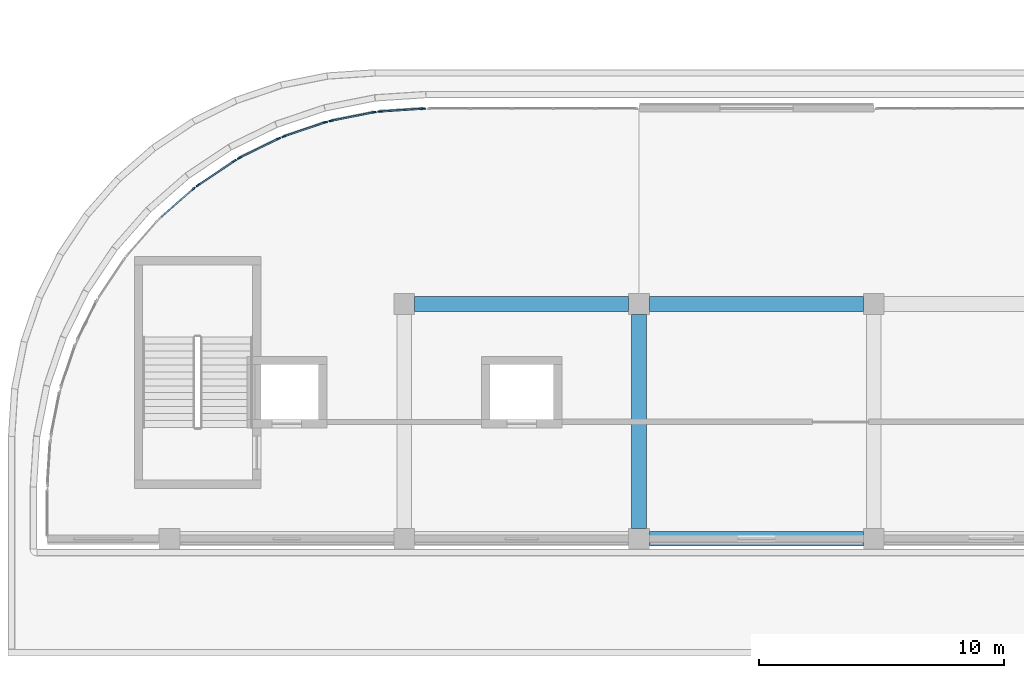
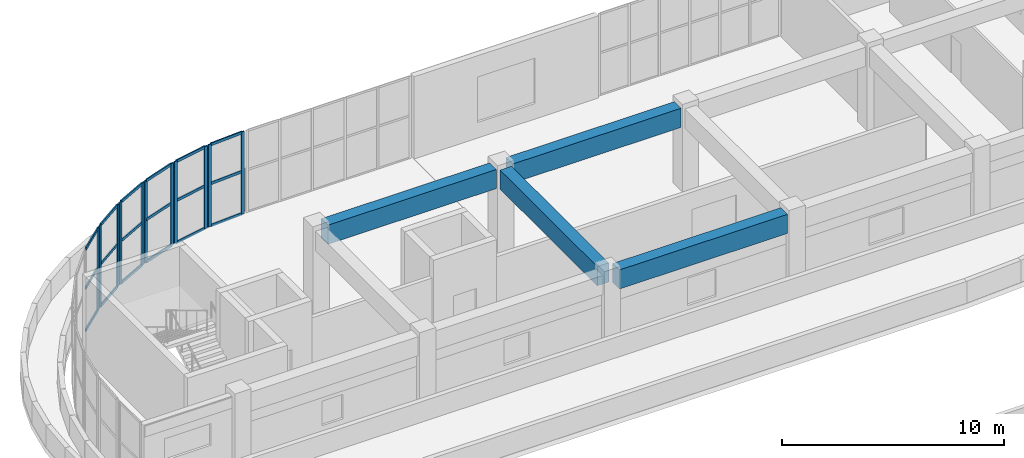
# One storey, part 14 of 67: 29 members, 4 beams, 6 elements without a shape of their own.
"""IFC4 building model written with IfcOpenShell, lengths in metres."""

from ifc_helpers import new_model, si_unit, direction, frame, origin, origin_2d, place, context, subcontext, project, spatial, rectangle, extrude, material, layer, layer_set, material_profile, profile_set, type_object, element, aggregate, save


model = new_model("IFC4")

# Units and contexts
model_context = context("Model", 3, precision=1e-05, world=origin(), true_north=direction((0.0, 1.0)))
body_context = subcontext(model_context, "Body", "Model", "MODEL_VIEW")
ifc_project = project(units=[si_unit("LENGTHUNIT", "METRE"), si_unit("AREAUNIT", "SQUARE_METRE"), si_unit("VOLUMEUNIT", "CUBIC_METRE"), si_unit("PLANEANGLEUNIT", "RADIAN"), si_unit("MASSUNIT", "GRAM", prefix="KILO")], contexts=[model_context])

# Site, building, storey
site_placement = place(None, origin())
site = spatial("IfcSite", under=ifc_project, at=site_placement, CompositionType="ELEMENT")
building_placement = place(site_placement, origin())
building = spatial("IfcBuilding", under=site, at=building_placement, Name="Cendralis Terraced Arcade", CompositionType="ELEMENT")
storey_placement = place(building_placement, frame((0.0, 0.0, 15.0)))
storey = spatial("IfcBuildingStorey", under=building, at=storey_placement, Name="L03", CompositionType="ELEMENT", Elevation=15.0)

# Beams
ifc_material_1 = material(Name="Concrete f'c 35 MPa", Category="concrete")
ifc_material_profile_1 = material_profile(ifc_material_1, rectangle(XDim=0.60009765625, YDim=1.050048828125, at=origin_2d()), Name="RC-BM-600x1050", Category="LoadBearing")
ifc_profile_set_1 = profile_set([ifc_material_profile_1], Name="Concrete f'c 35 MPa")
beam_type = type_object("IfcBeamType", Name="BM-600x1050", PredefinedType="JOIST", material=ifc_profile_set_1)
for number, where, z_axis, x_axis, name in (
    (1, (29.22509765625, 69.60009765625, 3.9951171875), (1.0, 0.0, 0.0), (0.0, 1.0, 0.0), "Reinforced Concrete Frame Beam BM-X-L04-H-4_5"),
    (2, (19.625, 79.199951171875, 3.9951171875), (1.0, 0.0, 0.0), (0.0, 1.0, 0.0), "Reinforced Concrete Frame Beam BM-X-L04-J-3_4"),
    (3, (29.22509765625, 79.199951171875, 3.9951171875), (1.0, 0.0, 0.0), (0.0, 1.0, 0.0), "Reinforced Concrete Frame Beam BM-X-L04-J-4_5"),
    (4, (28.800048828125, 70.02490234375, 3.9951171875), (0.0, 1.0, 0.0), (-1.0, 0.0, 0.0), "Reinforced Concrete Frame Beam BM-Y-L04-4-H_J"),
):
    element("IfcBeam", number, at=place(storey_placement, frame(where, z_axis=z_axis, x_axis=x_axis)), inside=storey, type_object=beam_type, Name=name, PredefinedType="JOIST", context=body_context, shape_type="SweptSolid", body=[
        extrude(rectangle(XDim=0.60009765625, YDim=1.050048828125, at=origin_2d()), origin(), (0.0, 0.0, 1.0), 8.75),
    ])

# Curtain wall, member
ifc_material_2 = material(Name="Anodised aluminium EN AW-6063 T6", Category="aluminium")
ifc_layer = layer(ifc_material_2, 0.179931640625, Name="CW-UNIT-A")
ifc_layer_set = layer_set([ifc_layer], Name="Anodised aluminium EN AW-6063 T6")
curtain_wall_type = type_object("IfcCurtainWallType", Name="CW-UNIT-A", PredefinedType="USERDEFINED", material=ifc_layer_set)
curtain_wall_1_placement = place(storey_placement, origin())
curtain_wall_1 = element("IfcCurtainWall", 5, at=curtain_wall_1_placement, inside=storey, type_object=curtain_wall_type, Name="Exterior Unitised Facade CW-L03-0304", ObjectType="UNITISED FACADE", PredefinedType="USERDEFINED")
ifc_material_profile_2 = material_profile(ifc_material_2, rectangle(XDim=0.06494140625, YDim=0.179931640625, at=origin_2d()), Name="ALU-MUL-65x180")
ifc_profile_set_2 = profile_set([ifc_material_profile_2], Name="Anodised aluminium EN AW-6063 T6")
member_type_1 = type_object("IfcMemberType", Name="CW-UNIT-A-MUL", PredefinedType="MULLION", material=ifc_profile_set_2)
member_1_placement = place(storey_placement, frame((10.572021484375, 83.916259765625, 0.0), z_axis=(0.0, 0.0, 1.0), x_axis=(-0.659370197402, 0.751818424075, 0.0)))
member_1 = element("IfcMember", 6, at=member_1_placement, type_object=member_type_1, Name="CW-U1 mullion 2", PredefinedType="MULLION", context=body_context, shape_type="SweptSolid", body=[
    extrude(rectangle(XDim=0.06494140625, YDim=0.179931640625, at=origin_2d()), origin(), (0.0, 0.0, 1.0), 4.52001953125),
])

# Curtain wall, members
curtain_wall_2_placement = place(storey_placement, origin())
curtain_wall_2 = element("IfcCurtainWall", 7, at=curtain_wall_2_placement, inside=storey, type_object=curtain_wall_type, Name="Exterior Unitised Facade CW-L03-0305", ObjectType="UNITISED FACADE", PredefinedType="USERDEFINED")
member_2_placement = place(storey_placement, frame((10.76611328125, 84.06494140625, 0.0), z_axis=(0.0, 0.0, 1.0), x_axis=(-0.555549269065, 0.831483619587, 0.0)))
member_2 = element("IfcMember", 8, at=member_2_placement, type_object=member_type_1, Name="CW-U1 mullion 1", PredefinedType="MULLION", context=body_context, shape_type="SweptSolid", body=[
    extrude(rectangle(XDim=0.06494140625, YDim=0.179931640625, at=origin_2d()), origin(), (0.0, 0.0, 1.0), 4.52001953125),
])
member_3_placement = place(storey_placement, frame((12.248291015625, 85.055419921875, 0.0), z_axis=(0.0, 0.0, 1.0), x_axis=(-0.555549269065, 0.831483619587, 0.0)))
member_3 = element("IfcMember", 9, at=member_3_placement, type_object=member_type_1, Name="CW-U1 mullion 2", PredefinedType="MULLION", context=body_context, shape_type="SweptSolid", body=[
    extrude(rectangle(XDim=0.06494140625, YDim=0.179931640625, at=origin_2d()), origin(), (0.0, 0.0, 1.0), 4.52001953125),
])

curtain_wall_3_placement = place(storey_placement, origin())
curtain_wall_3 = element("IfcCurtainWall", 10, at=curtain_wall_3_placement, inside=storey, type_object=curtain_wall_type, Name="Exterior Unitised Facade CW-L03-0306", ObjectType="UNITISED FACADE", PredefinedType="USERDEFINED")
member_4_placement = place(storey_placement, frame((12.4599609375, 85.177490234375, 0.0), z_axis=(0.0, 0.0, 1.0), x_axis=(-0.442270416572, 0.896881752867, 0.0)))
member_4 = element("IfcMember", 11, at=member_4_placement, type_object=member_type_1, Name="CW-U1 mullion 1", PredefinedType="MULLION", context=body_context, shape_type="SweptSolid", body=[
    extrude(rectangle(XDim=0.06494140625, YDim=0.179931640625, at=origin_2d()), origin(), (0.0, 0.0, 1.0), 4.52001953125),
])
member_5_placement = place(storey_placement, frame((14.05859375, 85.9658203125, 0.0), z_axis=(0.0, 0.0, 1.0), x_axis=(-0.442270416572, 0.896881752867, 0.0)))
member_5 = element("IfcMember", 12, at=member_5_placement, type_object=member_type_1, Name="CW-U1 mullion 2", PredefinedType="MULLION", context=body_context, shape_type="SweptSolid", body=[
    extrude(rectangle(XDim=0.06494140625, YDim=0.179931640625, at=origin_2d()), origin(), (0.0, 0.0, 1.0), 4.52001953125),
])

curtain_wall_4_placement = place(storey_placement, origin())
curtain_wall_4 = element("IfcCurtainWall", 13, at=curtain_wall_4_placement, inside=storey, type_object=curtain_wall_type, Name="Exterior Unitised Facade CW-L03-0307", ObjectType="UNITISED FACADE", PredefinedType="USERDEFINED")
member_6_placement = place(storey_placement, frame((14.284423828125, 86.0595703125, 0.0), z_axis=(0.0, 0.0, 1.0), x_axis=(-0.32150002033, 0.946909571674, 0.0)))
member_6 = element("IfcMember", 14, at=member_6_placement, type_object=member_type_1, Name="CW-U1 mullion 1", PredefinedType="MULLION", context=body_context, shape_type="SweptSolid", body=[
    extrude(rectangle(XDim=0.06494140625, YDim=0.179931640625, at=origin_2d()), origin(), (0.0, 0.0, 1.0), 4.52001953125),
])
member_7_placement = place(storey_placement, frame((15.972412109375, 86.632568359375, 0.0), z_axis=(0.0, 0.0, 1.0), x_axis=(-0.32150002033, 0.946909571674, 0.0)))
member_7 = element("IfcMember", 15, at=member_7_placement, type_object=member_type_1, Name="CW-U1 mullion 2", PredefinedType="MULLION", context=body_context, shape_type="SweptSolid", body=[
    extrude(rectangle(XDim=0.06494140625, YDim=0.179931640625, at=origin_2d()), origin(), (0.0, 0.0, 1.0), 4.52001953125),
])

curtain_wall_5_placement = place(storey_placement, origin())
curtain_wall_5 = element("IfcCurtainWall", 16, at=curtain_wall_5_placement, inside=storey, type_object=curtain_wall_type, Name="Exterior Unitised Facade CW-L03-0308", ObjectType="UNITISED FACADE", PredefinedType="USERDEFINED")
member_8_placement = place(storey_placement, frame((16.20849609375, 86.69580078125, 0.0), z_axis=(0.0, 0.0, 1.0), x_axis=(-0.195033398913, 0.980796601395, 0.0)))
member_8 = element("IfcMember", 17, at=member_8_placement, type_object=member_type_1, Name="CW-U1 mullion 1", PredefinedType="MULLION", context=body_context, shape_type="SweptSolid", body=[
    extrude(rectangle(XDim=0.06494140625, YDim=0.179931640625, at=origin_2d()), origin(), (0.0, 0.0, 1.0), 4.52001953125),
])
member_9_placement = place(storey_placement, frame((17.95654296875, 87.04345703125, 0.0), z_axis=(0.0, 0.0, 1.0), x_axis=(-0.195033398913, 0.980796601395, 0.0)))
member_9 = element("IfcMember", 18, at=member_9_placement, type_object=member_type_1, Name="CW-U1 mullion 2", PredefinedType="MULLION", context=body_context, shape_type="SweptSolid", body=[
    extrude(rectangle(XDim=0.06494140625, YDim=0.179931640625, at=origin_2d()), origin(), (0.0, 0.0, 1.0), 4.52001953125),
])

curtain_wall_6_placement = place(storey_placement, origin())
curtain_wall_6 = element("IfcCurtainWall", 19, at=curtain_wall_6_placement, inside=storey, type_object=curtain_wall_type, Name="Exterior Unitised Facade CW-L03-0309", ObjectType="UNITISED FACADE", PredefinedType="USERDEFINED")
member_10_placement = place(storey_placement, frame((18.198974609375, 87.075439453125, 0.0), z_axis=(0.0, 0.0, 1.0), x_axis=(-0.065383766124, 0.997860192175, 0.0)))
member_10 = element("IfcMember", 20, at=member_10_placement, type_object=member_type_1, Name="CW-U1 mullion 1", PredefinedType="MULLION", context=body_context, shape_type="SweptSolid", body=[
    extrude(rectangle(XDim=0.06494140625, YDim=0.179931640625, at=origin_2d()), origin(), (0.0, 0.0, 1.0), 4.52001953125),
])
member_11_placement = place(storey_placement, frame((19.977783203125, 87.19189453125, 0.0), z_axis=(0.0, 0.0, 1.0), x_axis=(-0.065383766124, 0.997860192175, 0.0)))
member_11 = element("IfcMember", 21, at=member_11_placement, type_object=member_type_1, Name="CW-U1 mullion 2", PredefinedType="MULLION", context=body_context, shape_type="SweptSolid", body=[
    extrude(rectangle(XDim=0.06494140625, YDim=0.179931640625, at=origin_2d()), origin(), (0.0, 0.0, 1.0), 4.52001953125),
])

# Member
ifc_material_profile_3 = material_profile(ifc_material_2, rectangle(XDim=0.06494140625, YDim=0.14990234375, at=origin_2d()), Name="ALU-TRN-65x150")
ifc_profile_set_3 = profile_set([ifc_material_profile_3], Name="Anodised aluminium EN AW-6063 T6")
member_type_2 = type_object("IfcMemberType", Name="CW-UNIT-A-TRN", PredefinedType="USERDEFINED", material=ifc_profile_set_3)
member_12_placement = place(storey_placement, frame((9.25634765625, 82.762451171875, 0.032470703125), z_axis=(0.751862957279, 0.659319416877, 0.0), x_axis=(-0.659319416877, 0.751862957279, 0.0)))
member_12 = element("IfcMember", 22, at=member_12_placement, type_object=member_type_2, Name="CW-U1 transom 1.1", ObjectType="TRANSOM", PredefinedType="USERDEFINED", context=body_context, shape_type="SweptSolid", body=[
    extrude(rectangle(XDim=0.06494140625, YDim=0.14990234375, at=origin_2d()), origin(), (0.0, 0.0, 1.0), 1.717529296875),
])

member_13_placement = place(storey_placement, frame((9.25634765625, 82.762451171875, 2.350341796875), z_axis=(0.751862957279, 0.659319416877, 0.0), x_axis=(-0.659319416877, 0.751862957279, 0.0)))
member_13 = element("IfcMember", 23, at=member_13_placement, type_object=member_type_2, Name="CW-U1 transom 1.2", ObjectType="TRANSOM", PredefinedType="USERDEFINED", context=body_context, shape_type="SweptSolid", body=[
    extrude(rectangle(XDim=0.06494140625, YDim=0.14990234375, at=origin_2d()), origin(), (0.0, 0.0, 1.0), 1.717529296875),
])

member_14_placement = place(storey_placement, frame((9.25634765625, 82.762451171875, 4.487548828125), z_axis=(0.751862957279, 0.659319416877, 0.0), x_axis=(-0.659319416877, 0.751862957279, 0.0)))
member_14 = element("IfcMember", 24, at=member_14_placement, type_object=member_type_2, Name="CW-U1 transom 1.3", ObjectType="TRANSOM", PredefinedType="USERDEFINED", context=body_context, shape_type="SweptSolid", body=[
    extrude(rectangle(XDim=0.06494140625, YDim=0.14990234375, at=origin_2d()), origin(), (0.0, 0.0, 1.0), 1.717529296875),
])

aggregate(curtain_wall_1, [member_1, member_12, member_13, member_14])

member_15_placement = place(storey_placement, frame((10.79296875, 84.0830078125, 0.032470703125), z_axis=(0.831459437663, 0.555585460141, 0.0), x_axis=(-0.555585460141, 0.831459437663, 0.0)))
member_15 = element("IfcMember", 25, at=member_15_placement, type_object=member_type_2, Name="CW-U1 transom 1.1", ObjectType="TRANSOM", PredefinedType="USERDEFINED", context=body_context, shape_type="SweptSolid", body=[
    extrude(rectangle(XDim=0.06494140625, YDim=0.14990234375, at=origin_2d()), origin(), (0.0, 0.0, 1.0), 1.7177734375),
])

member_16_placement = place(storey_placement, frame((10.79296875, 84.0830078125, 2.350341796875), z_axis=(0.831459437663, 0.555585460141, 0.0), x_axis=(-0.555585460141, 0.831459437663, 0.0)))
member_16 = element("IfcMember", 26, at=member_16_placement, type_object=member_type_2, Name="CW-U1 transom 1.2", ObjectType="TRANSOM", PredefinedType="USERDEFINED", context=body_context, shape_type="SweptSolid", body=[
    extrude(rectangle(XDim=0.06494140625, YDim=0.14990234375, at=origin_2d()), origin(), (0.0, 0.0, 1.0), 1.7177734375),
])

member_17_placement = place(storey_placement, frame((10.79296875, 84.0830078125, 4.487548828125), z_axis=(0.831459437663, 0.555585460141, 0.0), x_axis=(-0.555585460141, 0.831459437663, 0.0)))
member_17 = element("IfcMember", 27, at=member_17_placement, type_object=member_type_2, Name="CW-U1 transom 1.3", ObjectType="TRANSOM", PredefinedType="USERDEFINED", context=body_context, shape_type="SweptSolid", body=[
    extrude(rectangle(XDim=0.06494140625, YDim=0.14990234375, at=origin_2d()), origin(), (0.0, 0.0, 1.0), 1.7177734375),
])

aggregate(curtain_wall_2, [member_2, member_3, member_15, member_16, member_17])

member_18_placement = place(storey_placement, frame((12.489013671875, 85.19189453125, 0.032470703125), z_axis=(0.896830699832, 0.442373932141, 0.0), x_axis=(-0.442373932141, 0.896830699832, 0.0)))
member_18 = element("IfcMember", 28, at=member_18_placement, type_object=member_type_2, Name="CW-U1 transom 1.1", ObjectType="TRANSOM", PredefinedType="USERDEFINED", context=body_context, shape_type="SweptSolid", body=[
    extrude(rectangle(XDim=0.06494140625, YDim=0.14990234375, at=origin_2d()), origin(), (0.0, 0.0, 1.0), 1.717529296875),
])

member_19_placement = place(storey_placement, frame((12.489013671875, 85.19189453125, 2.350341796875), z_axis=(0.896830699832, 0.442373932141, 0.0), x_axis=(-0.442373932141, 0.896830699832, 0.0)))
member_19 = element("IfcMember", 29, at=member_19_placement, type_object=member_type_2, Name="CW-U1 transom 1.2", ObjectType="TRANSOM", PredefinedType="USERDEFINED", context=body_context, shape_type="SweptSolid", body=[
    extrude(rectangle(XDim=0.06494140625, YDim=0.14990234375, at=origin_2d()), origin(), (0.0, 0.0, 1.0), 1.717529296875),
])

member_20_placement = place(storey_placement, frame((12.489013671875, 85.19189453125, 4.487548828125), z_axis=(0.896830699832, 0.442373932141, 0.0), x_axis=(-0.442373932141, 0.896830699832, 0.0)))
member_20 = element("IfcMember", 30, at=member_20_placement, type_object=member_type_2, Name="CW-U1 transom 1.3", ObjectType="TRANSOM", PredefinedType="USERDEFINED", context=body_context, shape_type="SweptSolid", body=[
    extrude(rectangle(XDim=0.06494140625, YDim=0.14990234375, at=origin_2d()), origin(), (0.0, 0.0, 1.0), 1.717529296875),
])

aggregate(curtain_wall_3, [member_4, member_5, member_18, member_19, member_20])

member_21_placement = place(storey_placement, frame((14.315185546875, 86.06982421875, 0.032470703125), z_axis=(0.946906084256, 0.321510291592, 0.0), x_axis=(-0.321510291592, 0.946906084256, 0.0)))
member_21 = element("IfcMember", 31, at=member_21_placement, type_object=member_type_2, Name="CW-U1 transom 1.1", ObjectType="TRANSOM", PredefinedType="USERDEFINED", context=body_context, shape_type="SweptSolid", body=[
    extrude(rectangle(XDim=0.06494140625, YDim=0.14990234375, at=origin_2d()), origin(), (0.0, 0.0, 1.0), 1.7177734375),
])

member_22_placement = place(storey_placement, frame((14.315185546875, 86.06982421875, 2.350341796875), z_axis=(0.946906084256, 0.321510291592, 0.0), x_axis=(-0.321510291592, 0.946906084256, 0.0)))
member_22 = element("IfcMember", 32, at=member_22_placement, type_object=member_type_2, Name="CW-U1 transom 1.2", ObjectType="TRANSOM", PredefinedType="USERDEFINED", context=body_context, shape_type="SweptSolid", body=[
    extrude(rectangle(XDim=0.06494140625, YDim=0.14990234375, at=origin_2d()), origin(), (0.0, 0.0, 1.0), 1.7177734375),
])

member_23_placement = place(storey_placement, frame((14.315185546875, 86.06982421875, 4.487548828125), z_axis=(0.946906084256, 0.321510291592, 0.0), x_axis=(-0.321510291592, 0.946906084256, 0.0)))
member_23 = element("IfcMember", 33, at=member_23_placement, type_object=member_type_2, Name="CW-U1 transom 1.3", ObjectType="TRANSOM", PredefinedType="USERDEFINED", context=body_context, shape_type="SweptSolid", body=[
    extrude(rectangle(XDim=0.06494140625, YDim=0.14990234375, at=origin_2d()), origin(), (0.0, 0.0, 1.0), 1.7177734375),
])

aggregate(curtain_wall_4, [member_6, member_7, member_21, member_22, member_23])

member_24_placement = place(storey_placement, frame((16.240234375, 86.7021484375, 0.032470703125), z_axis=(0.980798750293, 0.195022592087, 0.0), x_axis=(-0.195022592087, 0.980798750293, 0.0)))
member_24 = element("IfcMember", 34, at=member_24_placement, type_object=member_type_2, Name="CW-U1 transom 1.1", ObjectType="TRANSOM", PredefinedType="USERDEFINED", context=body_context, shape_type="SweptSolid", body=[
    extrude(rectangle(XDim=0.06494140625, YDim=0.14990234375, at=origin_2d()), origin(), (0.0, 0.0, 1.0), 1.717529296875),
])

member_25_placement = place(storey_placement, frame((16.240234375, 86.7021484375, 2.350341796875), z_axis=(0.980798750293, 0.195022592087, 0.0), x_axis=(-0.195022592087, 0.980798750293, 0.0)))
member_25 = element("IfcMember", 35, at=member_25_placement, type_object=member_type_2, Name="CW-U1 transom 1.2", ObjectType="TRANSOM", PredefinedType="USERDEFINED", context=body_context, shape_type="SweptSolid", body=[
    extrude(rectangle(XDim=0.06494140625, YDim=0.14990234375, at=origin_2d()), origin(), (0.0, 0.0, 1.0), 1.717529296875),
])

member_26_placement = place(storey_placement, frame((16.240234375, 86.7021484375, 4.487548828125), z_axis=(0.980798750293, 0.195022592087, 0.0), x_axis=(-0.195022592087, 0.980798750293, 0.0)))
member_26 = element("IfcMember", 36, at=member_26_placement, type_object=member_type_2, Name="CW-U1 transom 1.3", ObjectType="TRANSOM", PredefinedType="USERDEFINED", context=body_context, shape_type="SweptSolid", body=[
    extrude(rectangle(XDim=0.06494140625, YDim=0.14990234375, at=origin_2d()), origin(), (0.0, 0.0, 1.0), 1.717529296875),
])

aggregate(curtain_wall_5, [member_8, member_9, member_24, member_25, member_26])

member_27_placement = place(storey_placement, frame((18.2314453125, 87.07763671875, 0.032470703125), z_axis=(0.997859990953, 0.065386837014, 0.0), x_axis=(-0.065386837014, 0.997859990953, 0.0)))
member_27 = element("IfcMember", 37, at=member_27_placement, type_object=member_type_2, Name="CW-U1 transom 1.1", ObjectType="TRANSOM", PredefinedType="USERDEFINED", context=body_context, shape_type="SweptSolid", body=[
    extrude(rectangle(XDim=0.06494140625, YDim=0.14990234375, at=origin_2d()), origin(), (0.0, 0.0, 1.0), 1.717529296875),
])

member_28_placement = place(storey_placement, frame((18.2314453125, 87.07763671875, 2.350341796875), z_axis=(0.997859990953, 0.065386837014, 0.0), x_axis=(-0.065386837014, 0.997859990953, 0.0)))
member_28 = element("IfcMember", 38, at=member_28_placement, type_object=member_type_2, Name="CW-U1 transom 1.2", ObjectType="TRANSOM", PredefinedType="USERDEFINED", context=body_context, shape_type="SweptSolid", body=[
    extrude(rectangle(XDim=0.06494140625, YDim=0.14990234375, at=origin_2d()), origin(), (0.0, 0.0, 1.0), 1.717529296875),
])

member_29_placement = place(storey_placement, frame((18.2314453125, 87.07763671875, 4.487548828125), z_axis=(0.997859990953, 0.065386837014, 0.0), x_axis=(-0.065386837014, 0.997859990953, 0.0)))
member_29 = element("IfcMember", 39, at=member_29_placement, type_object=member_type_2, Name="CW-U1 transom 1.3", ObjectType="TRANSOM", PredefinedType="USERDEFINED", context=body_context, shape_type="SweptSolid", body=[
    extrude(rectangle(XDim=0.06494140625, YDim=0.14990234375, at=origin_2d()), origin(), (0.0, 0.0, 1.0), 1.717529296875),
])

aggregate(curtain_wall_6, [member_10, member_11, member_27, member_28, member_29])

save(model, "model.ifc")
